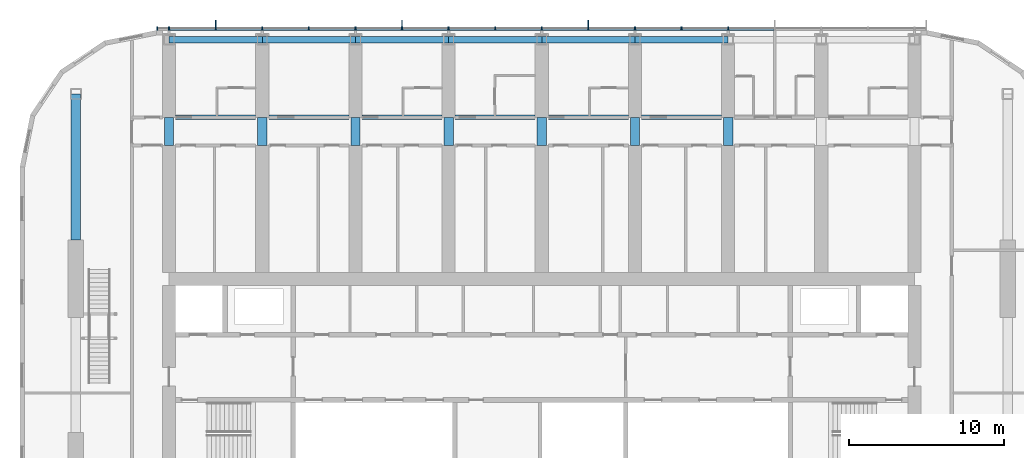
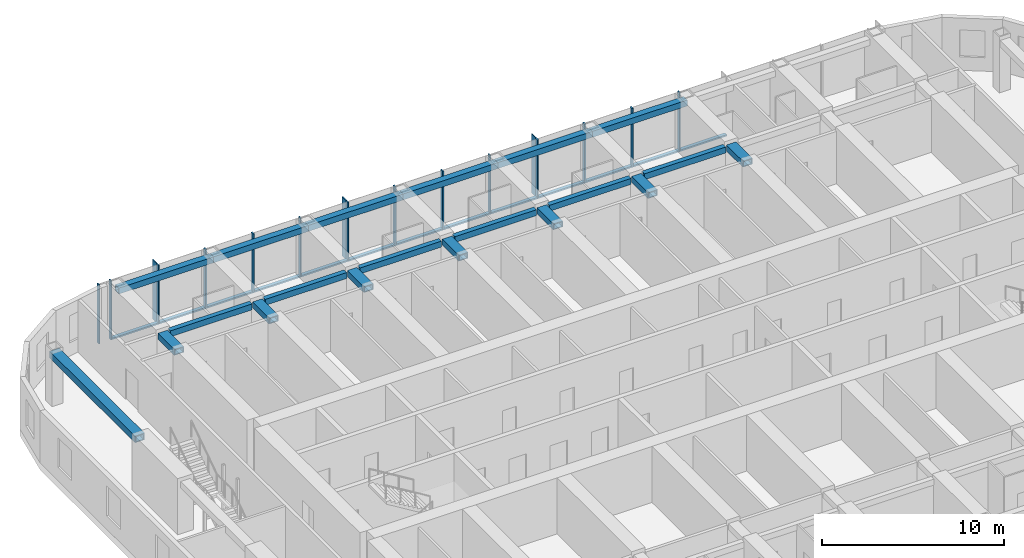
# One storey, part 6 of 28: 30 members, 20 beams, 1 element without a shape of its own.
"""IFC4 building model written with IfcOpenShell, lengths in metres."""

from ifc_helpers import new_model, si_unit, direction, frame, origin, origin_2d, place, context, subcontext, project, spatial, rectangle, hollow_rectangle, extrude, material, material_profile, profile_set, type_object, element, aggregate, save


model = new_model("IFC4")

# Units and contexts
model_context = context("Model", 3, precision=1e-05, world=origin(), true_north=direction((0.0, 1.0)))
body_context = subcontext(model_context, "Body", "Model", "MODEL_VIEW")
ifc_project = project(units=[si_unit("LENGTHUNIT", "METRE"), si_unit("AREAUNIT", "SQUARE_METRE"), si_unit("VOLUMEUNIT", "CUBIC_METRE"), si_unit("PLANEANGLEUNIT", "RADIAN"), si_unit("MASSUNIT", "GRAM", prefix="KILO")], contexts=[model_context])

# Site, building, storey
site_placement = place(None, origin())
site = spatial("IfcSite", under=ifc_project, at=site_placement, CompositionType="ELEMENT")
building_placement = place(site_placement, origin())
building = spatial("IfcBuilding", under=site, at=building_placement, Name="Orbita Commons", CompositionType="ELEMENT")
storey_placement = place(building_placement, frame((0.0, 0.0, 193.60009765625)))
storey = spatial("IfcBuildingStorey", under=building, at=storey_placement, Name="L48", CompositionType="ELEMENT", Elevation=193.60009765625)

# Curtain wall, members
ifc_material_1 = material(Name="Anodised aluminium frame, pale silver", Category="aluminium")
curtain_wall_type = type_object("IfcCurtainWallType", Name="Unitised curtain wall CW-U, full-height vision", PredefinedType="NOTDEFINED", material=ifc_material_1)
curtain_wall_placement = place(storey_placement, origin())
curtain_wall = element("IfcCurtainWall", 1, at=curtain_wall_placement, inside=storey, type_object=curtain_wall_type, Name="Curtain wall north L48", PredefinedType="NOTDEFINED")
ifc_material_2 = material(Name="Anodised aluminium, pale silver", Category="aluminium")
ifc_material_profile_1 = material_profile(ifc_material_2, rectangle(XDim=0.080078125, YDim=0.219970703125, at=origin_2d()), Name="AL 80x220")
ifc_profile_set_1 = profile_set([ifc_material_profile_1], Name="Anodised aluminium, pale silver")
member_type_1 = type_object("IfcMemberType", Name="Curtain wall mullion 80x220", PredefinedType="MULLION", material=ifc_profile_set_1)
member_1_placement = place(storey_placement, frame((54.0, 54.31005859375, -0.4501953125), z_axis=(0.0, 0.0, 1.0), x_axis=(-1.0, 0.0, 0.0)))
member_1 = element("IfcMember", 2, at=member_1_placement, type_object=member_type_1, Name="Mullion 6 CW-L48-N", PredefinedType="MULLION", context=body_context, shape_type="SweptSolid", body=[
    extrude(rectangle(XDim=0.080078125, YDim=0.219970703125, at=origin_2d()), origin(), (0.0, 0.0, 1.0), 3.9501953125),
])
member_2_placement = place(storey_placement, frame((51.0, 54.31005859375, -0.4501953125), z_axis=(0.0, 0.0, 1.0), x_axis=(-1.0, 0.0, 0.0)))
member_2 = element("IfcMember", 3, at=member_2_placement, type_object=member_type_1, Name="Mullion 7 CW-L48-N", PredefinedType="MULLION", context=body_context, shape_type="SweptSolid", body=[
    extrude(rectangle(XDim=0.080078125, YDim=0.219970703125, at=origin_2d()), origin(), (0.0, 0.0, 1.0), 3.9501953125),
])
member_3_placement = place(storey_placement, frame((48.0, 54.31005859375, -0.4501953125), z_axis=(0.0, 0.0, 1.0), x_axis=(-1.0, 0.0, 0.0)))
member_3 = element("IfcMember", 4, at=member_3_placement, type_object=member_type_1, Name="Mullion 8 CW-L48-N", PredefinedType="MULLION", context=body_context, shape_type="SweptSolid", body=[
    extrude(rectangle(XDim=0.080078125, YDim=0.219970703125, at=origin_2d()), origin(), (0.0, 0.0, 1.0), 3.9501953125),
])
member_4_placement = place(storey_placement, frame((45.0, 54.31005859375, -0.4501953125), z_axis=(0.0, 0.0, 1.0), x_axis=(-1.0, 0.0, 0.0)))
member_4 = element("IfcMember", 5, at=member_4_placement, type_object=member_type_1, Name="Mullion 9 CW-L48-N", PredefinedType="MULLION", context=body_context, shape_type="SweptSolid", body=[
    extrude(rectangle(XDim=0.080078125, YDim=0.219970703125, at=origin_2d()), origin(), (0.0, 0.0, 1.0), 3.9501953125),
])
member_5_placement = place(storey_placement, frame((42.0, 54.31005859375, -0.4501953125), z_axis=(0.0, 0.0, 1.0), x_axis=(-1.0, 0.0, 0.0)))
member_5 = element("IfcMember", 6, at=member_5_placement, type_object=member_type_1, Name="Mullion 10 CW-L48-N", PredefinedType="MULLION", context=body_context, shape_type="SweptSolid", body=[
    extrude(rectangle(XDim=0.080078125, YDim=0.219970703125, at=origin_2d()), origin(), (0.0, 0.0, 1.0), 3.9501953125),
])
member_6_placement = place(storey_placement, frame((39.0, 54.31005859375, -0.4501953125), z_axis=(0.0, 0.0, 1.0), x_axis=(-1.0, 0.0, 0.0)))
member_6 = element("IfcMember", 7, at=member_6_placement, type_object=member_type_1, Name="Mullion 11 CW-L48-N", PredefinedType="MULLION", context=body_context, shape_type="SweptSolid", body=[
    extrude(rectangle(XDim=0.080078125, YDim=0.219970703125, at=origin_2d()), origin(), (0.0, 0.0, 1.0), 3.9501953125),
])
member_7_placement = place(storey_placement, frame((36.0, 54.31005859375, -0.4501953125), z_axis=(0.0, 0.0, 1.0), x_axis=(-1.0, 0.0, 0.0)))
member_7 = element("IfcMember", 8, at=member_7_placement, type_object=member_type_1, Name="Mullion 12 CW-L48-N", PredefinedType="MULLION", context=body_context, shape_type="SweptSolid", body=[
    extrude(rectangle(XDim=0.080078125, YDim=0.219970703125, at=origin_2d()), origin(), (0.0, 0.0, 1.0), 3.9501953125),
])
member_8_placement = place(storey_placement, frame((33.0, 54.31005859375, -0.4501953125), z_axis=(0.0, 0.0, 1.0), x_axis=(-1.0, 0.0, 0.0)))
member_8 = element("IfcMember", 9, at=member_8_placement, type_object=member_type_1, Name="Mullion 13 CW-L48-N", PredefinedType="MULLION", context=body_context, shape_type="SweptSolid", body=[
    extrude(rectangle(XDim=0.080078125, YDim=0.219970703125, at=origin_2d()), origin(), (0.0, 0.0, 1.0), 3.9501953125),
])
member_9_placement = place(storey_placement, frame((30.0, 54.31005859375, -0.4501953125), z_axis=(0.0, 0.0, 1.0), x_axis=(-1.0, 0.0, 0.0)))
member_9 = element("IfcMember", 10, at=member_9_placement, type_object=member_type_1, Name="Mullion 14 CW-L48-N", PredefinedType="MULLION", context=body_context, shape_type="SweptSolid", body=[
    extrude(rectangle(XDim=0.080078125, YDim=0.219970703125, at=origin_2d()), origin(), (0.0, 0.0, 1.0), 3.9501953125),
])
member_10_placement = place(storey_placement, frame((27.0, 54.31005859375, -0.4501953125), z_axis=(0.0, 0.0, 1.0), x_axis=(-1.0, 0.0, 0.0)))
member_10 = element("IfcMember", 11, at=member_10_placement, type_object=member_type_1, Name="Mullion 15 CW-L48-N", PredefinedType="MULLION", context=body_context, shape_type="SweptSolid", body=[
    extrude(rectangle(XDim=0.080078125, YDim=0.219970703125, at=origin_2d()), origin(), (0.0, 0.0, 1.0), 3.9501953125),
])
member_11_placement = place(storey_placement, frame((24.0, 54.31005859375, -0.4501953125), z_axis=(0.0, 0.0, 1.0), x_axis=(-1.0, 0.0, 0.0)))
member_11 = element("IfcMember", 12, at=member_11_placement, type_object=member_type_1, Name="Mullion 16 CW-L48-N", PredefinedType="MULLION", context=body_context, shape_type="SweptSolid", body=[
    extrude(rectangle(XDim=0.080078125, YDim=0.219970703125, at=origin_2d()), origin(), (0.0, 0.0, 1.0), 3.9501953125),
])
member_12_placement = place(storey_placement, frame((21.0, 54.31005859375, -0.4501953125), z_axis=(0.0, 0.0, 1.0), x_axis=(-1.0, 0.0, 0.0)))
member_12 = element("IfcMember", 13, at=member_12_placement, type_object=member_type_1, Name="Mullion 17 CW-L48-N", PredefinedType="MULLION", context=body_context, shape_type="SweptSolid", body=[
    extrude(rectangle(XDim=0.080078125, YDim=0.219970703125, at=origin_2d()), origin(), (0.0, 0.0, 1.0), 3.9501953125),
])
member_13_placement = place(storey_placement, frame((18.0, 54.31005859375, -0.4501953125), z_axis=(0.0, 0.0, 1.0), x_axis=(-1.0, 0.0, 0.0)))
member_13 = element("IfcMember", 14, at=member_13_placement, type_object=member_type_1, Name="Mullion 18 CW-L48-N", PredefinedType="MULLION", context=body_context, shape_type="SweptSolid", body=[
    extrude(rectangle(XDim=0.080078125, YDim=0.219970703125, at=origin_2d()), origin(), (0.0, 0.0, 1.0), 3.9501953125),
])
member_14_placement = place(storey_placement, frame((17.239990234375, 54.31005859375, -0.4501953125), z_axis=(0.0, 0.0, 1.0), x_axis=(-1.0, 0.0, 0.0)))
member_14 = element("IfcMember", 15, at=member_14_placement, type_object=member_type_1, Name="Mullion 19 CW-L48-N", PredefinedType="MULLION", context=body_context, shape_type="SweptSolid", body=[
    extrude(rectangle(XDim=0.080078125, YDim=0.219970703125, at=origin_2d()), origin(), (0.0, 0.0, 1.0), 3.9501953125),
])
ifc_material_3 = material(Name="Anodised aluminium, pale silver", Category="aluminium")
ifc_material_profile_2 = material_profile(ifc_material_3, rectangle(XDim=0.219970703125, YDim=0.10009765625, at=origin_2d()), Name="AL 220x100")
ifc_profile_set_2 = profile_set([ifc_material_profile_2], Name="Anodised aluminium, pale silver")
member_type_2 = type_object("IfcMemberType", Name="Curtain wall stack transom 220x100", PredefinedType="USERDEFINED", material=ifc_profile_set_2)
member_15_placement = place(storey_placement, frame((56.9599609375, 54.31005859375, -0.400146484375), z_axis=(-1.0, 0.0, 0.0), x_axis=(0.0, -1.0, 0.0)))
member_15 = element("IfcMember", 16, at=member_15_placement, type_object=member_type_2, Name="Transom 5.1 CW-L48-N", ObjectType="TRANSOM", PredefinedType="USERDEFINED", context=body_context, shape_type="SweptSolid", body=[
    extrude(rectangle(XDim=0.219970703125, YDim=0.10009765625, at=origin_2d()), origin(), (0.0, 0.0, 1.0), 2.919921875),
])
member_16_placement = place(storey_placement, frame((53.9599609375, 54.31005859375, -0.400146484375), z_axis=(-1.0, 0.0, 0.0), x_axis=(0.0, -1.0, 0.0)))
member_16 = element("IfcMember", 17, at=member_16_placement, type_object=member_type_2, Name="Transom 6.1 CW-L48-N", ObjectType="TRANSOM", PredefinedType="USERDEFINED", context=body_context, shape_type="SweptSolid", body=[
    extrude(rectangle(XDim=0.219970703125, YDim=0.10009765625, at=origin_2d()), origin(), (0.0, 0.0, 1.0), 2.919921875),
])
member_17_placement = place(storey_placement, frame((50.9599609375, 54.31005859375, -0.400146484375), z_axis=(-1.0, 0.0, 0.0), x_axis=(0.0, -1.0, 0.0)))
member_17 = element("IfcMember", 18, at=member_17_placement, type_object=member_type_2, Name="Transom 7.1 CW-L48-N", ObjectType="TRANSOM", PredefinedType="USERDEFINED", context=body_context, shape_type="SweptSolid", body=[
    extrude(rectangle(XDim=0.219970703125, YDim=0.10009765625, at=origin_2d()), origin(), (0.0, 0.0, 1.0), 2.919921875),
])
member_18_placement = place(storey_placement, frame((47.9599609375, 54.31005859375, -0.400146484375), z_axis=(-1.0, 0.0, 0.0), x_axis=(0.0, -1.0, 0.0)))
member_18 = element("IfcMember", 19, at=member_18_placement, type_object=member_type_2, Name="Transom 8.1 CW-L48-N", ObjectType="TRANSOM", PredefinedType="USERDEFINED", context=body_context, shape_type="SweptSolid", body=[
    extrude(rectangle(XDim=0.219970703125, YDim=0.10009765625, at=origin_2d()), origin(), (0.0, 0.0, 1.0), 2.919921875),
])
member_19_placement = place(storey_placement, frame((44.9599609375, 54.31005859375, -0.400146484375), z_axis=(-1.0, 0.0, 0.0), x_axis=(0.0, -1.0, 0.0)))
member_19 = element("IfcMember", 20, at=member_19_placement, type_object=member_type_2, Name="Transom 9.1 CW-L48-N", ObjectType="TRANSOM", PredefinedType="USERDEFINED", context=body_context, shape_type="SweptSolid", body=[
    extrude(rectangle(XDim=0.219970703125, YDim=0.10009765625, at=origin_2d()), origin(), (0.0, 0.0, 1.0), 2.919921875),
])
member_20_placement = place(storey_placement, frame((41.9599609375, 54.31005859375, -0.400146484375), z_axis=(-1.0, 0.0, 0.0), x_axis=(0.0, -1.0, 0.0)))
member_20 = element("IfcMember", 21, at=member_20_placement, type_object=member_type_2, Name="Transom 10.1 CW-L48-N", ObjectType="TRANSOM", PredefinedType="USERDEFINED", context=body_context, shape_type="SweptSolid", body=[
    extrude(rectangle(XDim=0.219970703125, YDim=0.10009765625, at=origin_2d()), origin(), (0.0, 0.0, 1.0), 2.919921875),
])
member_21_placement = place(storey_placement, frame((38.9599609375, 54.31005859375, -0.400146484375), z_axis=(-1.0, 0.0, 0.0), x_axis=(0.0, -1.0, 0.0)))
member_21 = element("IfcMember", 22, at=member_21_placement, type_object=member_type_2, Name="Transom 11.1 CW-L48-N", ObjectType="TRANSOM", PredefinedType="USERDEFINED", context=body_context, shape_type="SweptSolid", body=[
    extrude(rectangle(XDim=0.219970703125, YDim=0.10009765625, at=origin_2d()), origin(), (0.0, 0.0, 1.0), 2.919921875),
])
member_22_placement = place(storey_placement, frame((35.9599609375, 54.31005859375, -0.400146484375), z_axis=(-1.0, 0.0, 0.0), x_axis=(0.0, -1.0, 0.0)))
member_22 = element("IfcMember", 23, at=member_22_placement, type_object=member_type_2, Name="Transom 12.1 CW-L48-N", ObjectType="TRANSOM", PredefinedType="USERDEFINED", context=body_context, shape_type="SweptSolid", body=[
    extrude(rectangle(XDim=0.219970703125, YDim=0.10009765625, at=origin_2d()), origin(), (0.0, 0.0, 1.0), 2.919921875),
])
member_23_placement = place(storey_placement, frame((32.9599609375, 54.31005859375, -0.400146484375), z_axis=(-1.0, 0.0, 0.0), x_axis=(0.0, -1.0, 0.0)))
member_23 = element("IfcMember", 24, at=member_23_placement, type_object=member_type_2, Name="Transom 13.1 CW-L48-N", ObjectType="TRANSOM", PredefinedType="USERDEFINED", context=body_context, shape_type="SweptSolid", body=[
    extrude(rectangle(XDim=0.219970703125, YDim=0.10009765625, at=origin_2d()), origin(), (0.0, 0.0, 1.0), 2.919921875),
])
member_24_placement = place(storey_placement, frame((29.9599609375, 54.31005859375, -0.400146484375), z_axis=(-1.0, 0.0, 0.0), x_axis=(0.0, -1.0, 0.0)))
member_24 = element("IfcMember", 25, at=member_24_placement, type_object=member_type_2, Name="Transom 14.1 CW-L48-N", ObjectType="TRANSOM", PredefinedType="USERDEFINED", context=body_context, shape_type="SweptSolid", body=[
    extrude(rectangle(XDim=0.219970703125, YDim=0.10009765625, at=origin_2d()), origin(), (0.0, 0.0, 1.0), 2.919921875),
])
member_25_placement = place(storey_placement, frame((26.9599609375, 54.31005859375, -0.400146484375), z_axis=(-1.0, 0.0, 0.0), x_axis=(0.0, -1.0, 0.0)))
member_25 = element("IfcMember", 26, at=member_25_placement, type_object=member_type_2, Name="Transom 15.1 CW-L48-N", ObjectType="TRANSOM", PredefinedType="USERDEFINED", context=body_context, shape_type="SweptSolid", body=[
    extrude(rectangle(XDim=0.219970703125, YDim=0.10009765625, at=origin_2d()), origin(), (0.0, 0.0, 1.0), 2.919921875),
])
member_26_placement = place(storey_placement, frame((23.9599609375, 54.31005859375, -0.400146484375), z_axis=(-1.0, 0.0, 0.0), x_axis=(0.0, -1.0, 0.0)))
member_26 = element("IfcMember", 27, at=member_26_placement, type_object=member_type_2, Name="Transom 16.1 CW-L48-N", ObjectType="TRANSOM", PredefinedType="USERDEFINED", context=body_context, shape_type="SweptSolid", body=[
    extrude(rectangle(XDim=0.219970703125, YDim=0.10009765625, at=origin_2d()), origin(), (0.0, 0.0, 1.0), 2.919921875),
])
member_27_placement = place(storey_placement, frame((20.9599609375, 54.31005859375, -0.400146484375), z_axis=(-1.0, 0.0, 0.0), x_axis=(0.0, -1.0, 0.0)))
member_27 = element("IfcMember", 28, at=member_27_placement, type_object=member_type_2, Name="Transom 17.1 CW-L48-N", ObjectType="TRANSOM", PredefinedType="USERDEFINED", context=body_context, shape_type="SweptSolid", body=[
    extrude(rectangle(XDim=0.219970703125, YDim=0.10009765625, at=origin_2d()), origin(), (0.0, 0.0, 1.0), 2.919921875),
])

# Beams
ifc_material_4 = material(Name="Steel ASTM A572 Gr 50 welded plate", Category="steel")
ifc_material_profile_3 = material_profile(ifc_material_4, hollow_rectangle(XDim=0.300048828125, YDim=0.39990234375, WallThickness=0.0400390625, at=origin_2d()), Name="BOX 400x300x40")
ifc_profile_set_3 = profile_set([ifc_material_profile_3], Name="Steel ASTM A572 Gr 50 welded plate")
beam_type_1 = type_object("IfcBeamType", Name="Steel corridor link BOX 400x300x40", PredefinedType="BEAM", material=ifc_profile_set_3)
for number, where, z_axis, x_axis, name in (
    (29, (18.425048828125, 48.60009765625, 3.2998046875), (1.0, 0.0, 0.0), (0.0, 1.0, 0.0), "Corridor beam NB 4-5 L48"),
    (30, (24.425048828125, 48.60009765625, 3.2998046875), (1.0, 0.0, 0.0), (0.0, 1.0, 0.0), "Corridor beam NB 5-6 L48"),
    (31, (30.425048828125, 48.60009765625, 3.2998046875), (1.0, 0.0, 0.0), (0.0, 1.0, 0.0), "Corridor beam NB 6-7 L48"),
    (32, (36.425048828125, 48.60009765625, 3.2998046875), (1.0, 0.0, 0.0), (0.0, 1.0, 0.0), "Corridor beam NB 7-8 L48"),
    (33, (42.425048828125, 48.60009765625, 3.2998046875), (1.0, 0.0, 0.0), (0.0, 1.0, 0.0), "Corridor beam NB 8-9 L48"),
    (34, (48.425048828125, 48.60009765625, 3.2998046875), (1.0, 0.0, 0.0), (0.0, 1.0, 0.0), "Corridor beam NB 9-10 L48"),
):
    element("IfcBeam", number, at=place(storey_placement, frame(where, z_axis=z_axis, x_axis=x_axis)), inside=storey, type_object=beam_type_1, Name=name, PredefinedType="BEAM", context=body_context, shape_type="SweptSolid", body=[
        extrude(hollow_rectangle(XDim=0.300048828125, YDim=0.39990234375, WallThickness=0.0400390625, at=origin_2d()), origin(), (0.0, 0.0, 1.0), 5.14990234375),
    ])
ifc_material_5 = material(Name="Steel ASTM A572 Gr 50 welded plate", Category="steel")
ifc_material_profile_4 = material_profile(ifc_material_5, hollow_rectangle(XDim=0.60009765625, YDim=0.39990234375, WallThickness=0.050048828125, at=origin_2d()), Name="BOX 400x600x50")
ifc_profile_set_4 = profile_set([ifc_material_profile_4], Name="Steel ASTM A572 Gr 50 welded plate")
beam_type_2 = type_object("IfcBeamType", Name="Steel coupling link BOX 400x600x50", PredefinedType="LINTEL", material=ifc_profile_set_4)
for number, where, z_axis, x_axis, name in (
    (35, (18.0, 46.800048828125, 3.2998046875), (0.0, 1.0, 0.0), (-1.0, 0.0, 0.0), "Coupling beam 4 north L48"),
    (36, (24.0, 46.800048828125, 3.2998046875), (0.0, 1.0, 0.0), (-1.0, 0.0, 0.0), "Coupling beam 5 north L48"),
    (37, (30.0, 46.800048828125, 3.2998046875), (0.0, 1.0, 0.0), (-1.0, 0.0, 0.0), "Coupling beam 6 north L48"),
    (38, (36.0, 46.800048828125, 3.2998046875), (0.0, 1.0, 0.0), (-1.0, 0.0, 0.0), "Coupling beam 7 north L48"),
    (39, (42.0, 46.800048828125, 3.2998046875), (0.0, 1.0, 0.0), (-1.0, 0.0, 0.0), "Coupling beam 8 north L48"),
    (40, (48.0, 46.800048828125, 3.2998046875), (0.0, 1.0, 0.0), (-1.0, 0.0, 0.0), "Coupling beam 9 north L48"),
    (41, (54.0, 46.800048828125, 3.2998046875), (0.0, 1.0, 0.0), (-1.0, 0.0, 0.0), "Coupling beam 10 north L48"),
):
    element("IfcBeam", number, at=place(storey_placement, frame(where, z_axis=z_axis, x_axis=x_axis)), inside=storey, type_object=beam_type_2, Name=name, PredefinedType="LINTEL", context=body_context, shape_type="SweptSolid", body=[
        extrude(hollow_rectangle(XDim=0.60009765625, YDim=0.39990234375, WallThickness=0.050048828125, at=origin_2d()), origin(), (0.0, 0.0, 1.0), 1.800048828125),
    ])
ifc_material_6 = material(Name="Steel ASTM A572 Gr 50 welded plate", Category="steel")
ifc_material_profile_5 = material_profile(ifc_material_6, hollow_rectangle(XDim=0.60009765625, YDim=0.449951171875, WallThickness=0.06005859375, at=origin_2d()), Name="BOX 450x600x60")
ifc_profile_set_5 = profile_set([ifc_material_profile_5], Name="Steel ASTM A572 Gr 50 welded plate")
beam_type_3 = type_object("IfcBeamType", Name="Steel end frame link BOX 450x600x60", PredefinedType="BEAM", material=ifc_profile_set_5)
beam_placement = place(storey_placement, frame((12.0, 40.699951171875, 3.27490234375), z_axis=(0.0, 1.0, 0.0), x_axis=(-1.0, 0.0, 0.0)))
element("IfcBeam", 42, at=beam_placement, inside=storey, type_object=beam_type_3, Name="End frame beam 3 D-E L48", PredefinedType="BEAM", context=body_context, shape_type="SweptSolid", body=[
    extrude(hollow_rectangle(XDim=0.60009765625, YDim=0.449951171875, WallThickness=0.06005859375, at=origin_2d()), origin(), (0.0, 0.0, 1.0), 9.400146484375),
])
ifc_material_7 = material(Name="Steel ASTM A572 Gr 50 welded plate", Category="steel")
ifc_material_profile_6 = material_profile(ifc_material_7, hollow_rectangle(XDim=0.39990234375, YDim=0.39990234375, WallThickness=0.0400390625, at=origin_2d()), Name="BOX 400x400x40")
ifc_profile_set_6 = profile_set([ifc_material_profile_6], Name="Steel ASTM A572 Gr 50 welded plate")
beam_type_4 = type_object("IfcBeamType", Name="Steel spandrel BOX 400x400x40", PredefinedType="SPANDREL", material=ifc_profile_set_6)
for number, where, z_axis, x_axis, name in (
    (43, (18.0, 53.60009765625, 3.2998046875), (1.0, 0.0, 0.0), (0.0, 1.0, 0.0), "Spandrel beam E 4-5 L48"),
    (44, (24.0, 53.60009765625, 3.2998046875), (1.0, 0.0, 0.0), (0.0, 1.0, 0.0), "Spandrel beam E 5-6 L48"),
    (45, (30.0, 53.60009765625, 3.2998046875), (1.0, 0.0, 0.0), (0.0, 1.0, 0.0), "Spandrel beam E 6-7 L48"),
    (46, (36.0, 53.60009765625, 3.2998046875), (1.0, 0.0, 0.0), (0.0, 1.0, 0.0), "Spandrel beam E 7-8 L48"),
    (47, (42.0, 53.60009765625, 3.2998046875), (1.0, 0.0, 0.0), (0.0, 1.0, 0.0), "Spandrel beam E 8-9 L48"),
    (48, (48.0, 53.60009765625, 3.2998046875), (1.0, 0.0, 0.0), (0.0, 1.0, 0.0), "Spandrel beam E 9-10 L48"),
):
    element("IfcBeam", number, at=place(storey_placement, frame(where, z_axis=z_axis, x_axis=x_axis)), inside=storey, type_object=beam_type_4, Name=name, PredefinedType="SPANDREL", context=body_context, shape_type="SweptSolid", body=[
        extrude(hollow_rectangle(XDim=0.39990234375, YDim=0.39990234375, WallThickness=0.0400390625, at=origin_2d()), origin(), (0.0, 0.0, 1.0), 6.0),
    ])

# Member
ifc_material_8 = material(Name="Anodised aluminium, pale silver", Category="aluminium")
ifc_material_profile_7 = material_profile(ifc_material_8, rectangle(XDim=0.06005859375, YDim=0.449951171875, at=origin_2d()), Name="FIN 60x450")
ifc_profile_set_7 = profile_set([ifc_material_profile_7], Name="Anodised aluminium, pale silver")
member_type_3 = type_object("IfcMemberType", Name="Vertical fin 60x450 pale aluminium", PredefinedType="USERDEFINED", material=ifc_profile_set_7)
member_28_placement = place(storey_placement, frame((45.0, 54.64501953125, -0.4501953125), z_axis=(0.0, 0.0, 1.0), x_axis=(-1.0, 0.0, 0.0)))
member_28 = element("IfcMember", 49, at=member_28_placement, type_object=member_type_3, Name="Fin 9 CW-L48-N", ObjectType="FIN", PredefinedType="USERDEFINED", context=body_context, shape_type="SweptSolid", body=[
    extrude(rectangle(XDim=0.06005859375, YDim=0.449951171875, at=origin_2d()), origin(), (0.0, 0.0, 1.0), 3.9501953125),
])

member_29_placement = place(storey_placement, frame((33.0, 54.64501953125, -0.4501953125), z_axis=(0.0, 0.0, 1.0), x_axis=(-1.0, 0.0, 0.0)))
member_29 = element("IfcMember", 50, at=member_29_placement, type_object=member_type_3, Name="Fin 13 CW-L48-N", ObjectType="FIN", PredefinedType="USERDEFINED", context=body_context, shape_type="SweptSolid", body=[
    extrude(rectangle(XDim=0.06005859375, YDim=0.449951171875, at=origin_2d()), origin(), (0.0, 0.0, 1.0), 3.9501953125),
])

member_30_placement = place(storey_placement, frame((21.0, 54.64501953125, -0.4501953125), z_axis=(0.0, 0.0, 1.0), x_axis=(-1.0, 0.0, 0.0)))
member_30 = element("IfcMember", 51, at=member_30_placement, type_object=member_type_3, Name="Fin 17 CW-L48-N", ObjectType="FIN", PredefinedType="USERDEFINED", context=body_context, shape_type="SweptSolid", body=[
    extrude(rectangle(XDim=0.06005859375, YDim=0.449951171875, at=origin_2d()), origin(), (0.0, 0.0, 1.0), 3.9501953125),
])

aggregate(curtain_wall, [member_1, member_2, member_3, member_4, member_28, member_5, member_6, member_7, member_8, member_29, member_9, member_10, member_11, member_12, member_30, member_13, member_14, member_15, member_16, member_17, member_18, member_19, member_20, member_21, member_22, member_23, member_24, member_25, member_26, member_27])

save(model, "model.ifc")
